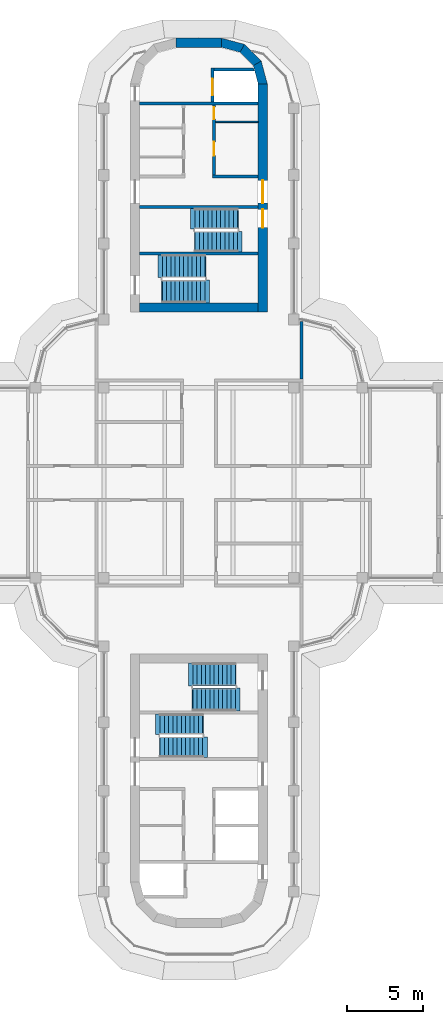
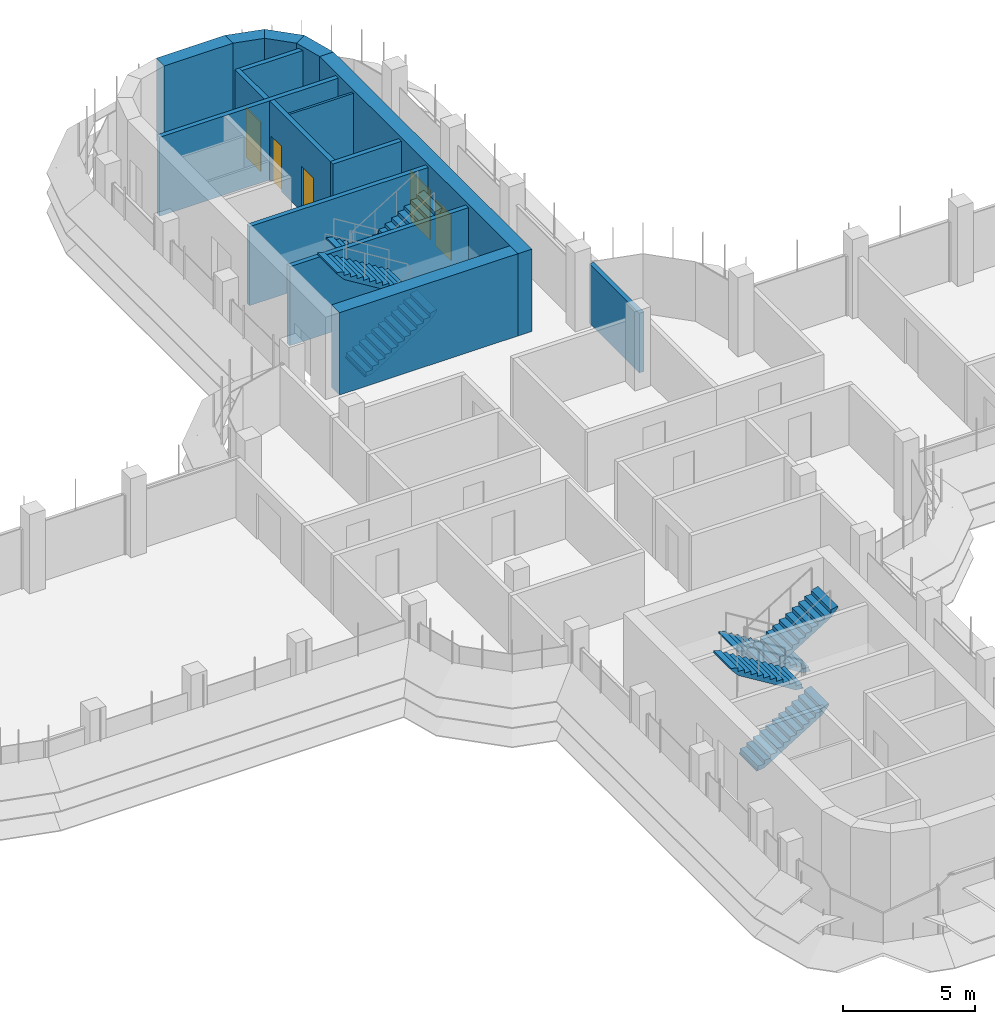
# One storey, part 15 of 19: 15 walls, 8 stair flights, 5 doors, 5 openings, 4 elements without a shape of their own.
"""IFC4 building model written with IfcOpenShell, lengths in metres."""

import ifcopenshell
import ifcopenshell.guid

model = None  # the IFC model being written
_history = None  # IfcOwnerHistory: only IFC2X3 demands one
_inside = {}  # id of a spatial element -> (the spatial element, [elements in it])
_under = {}  # id of a project, library or spatial element -> (it, [spatial elements below it])
_declared = {}  # id of a project -> (the project, [libraries it declares])
_typed = {}  # id of a type object -> (the type object, [elements of that type])
_made_of = {}  # id of a material, layer set ... -> (it, [elements and type objects made of it])


def new_model(schema):
    """Start an empty IFC model of exactly this schema.

    Asked for "IFC4X3", IfcOpenShell would pick the latest addendum, in which some entities
    have other attributes; the version numbers below select the first issue.
    IFC2X3 requires an IfcOwnerHistory on every rooted entity: one is made here for all.
    """
    global model, _history
    if schema == "IFC4X3":
        model = ifcopenshell.file(schema_version=(4, 3, 0, 0))
    else:
        model = ifcopenshell.file(schema=schema)
    _inside.clear()
    _under.clear()
    _declared.clear()
    _typed.clear()
    _made_of.clear()
    _history = None
    if model.schema == "IFC2X3":
        org = make("IfcOrganization", Name="unknown")
        user = make(
            "IfcPersonAndOrganization",
            ThePerson=make("IfcPerson", FamilyName="unknown"),
            TheOrganization=org,
        )
        app = make(
            "IfcApplication",
            ApplicationDeveloper=org,
            Version="unknown",
            ApplicationFullName="unknown",
            ApplicationIdentifier="unknown",
        )
        _history = make(
            "IfcOwnerHistory",
            OwningUser=user,
            OwningApplication=app,
            ChangeAction="ADDED",
            CreationDate=0,
        )
    return model


def make(cls, **values):
    """One entity of the class cls with the attributes given. An attribute that is None is left unset."""
    return model.create_entity(
        cls, **{name: value for name, value in values.items() if value is not None}
    )


def rooted(cls, **values):
    """An entity with a GlobalId (a new one), such as an element, a storey or a relation."""
    return make(cls, GlobalId=ifcopenshell.guid.new(), OwnerHistory=_history, **values)


def si_unit(unit_type, name, prefix=None):
    """IfcSIUnit, for example si_unit("LENGTHUNIT", "METRE", prefix="MILLI")."""
    return make("IfcSIUnit", UnitType=unit_type, Prefix=prefix, Name=name)


def assignment(units):
    """IfcUnitAssignment: the units of a project."""
    return None if units is None else make("IfcUnitAssignment", Units=units)


def point(xyz):
    """IfcCartesianPoint."""
    return None if xyz is None else make("IfcCartesianPoint", Coordinates=xyz)


def direction(xyz):
    """IfcDirection."""
    return None if xyz is None else make("IfcDirection", DirectionRatios=xyz)


def frame(location, z_axis=None, x_axis=None):
    """IfcAxis2Placement3D, a coordinate frame: its origin and axes. An axis left out is left unset."""
    return make(
        "IfcAxis2Placement3D",
        Location=point(location),
        Axis=direction(z_axis),
        RefDirection=direction(x_axis),
    )


def frame_2d(location, x_axis=None):
    """IfcAxis2Placement2D, a coordinate frame in the plane: its origin and x axis."""
    return make(
        "IfcAxis2Placement2D", Location=point(location), RefDirection=direction(x_axis)
    )


def origin():
    """The frame at (0, 0, 0) with its axes left unset."""
    return frame((0.0, 0.0, 0.0))


def place(relative_to, where):
    """IfcLocalPlacement: puts the frame where relative to a parent placement (None: the world)."""
    return make(
        "IfcLocalPlacement", PlacementRelTo=relative_to, RelativePlacement=where
    )


def context(
    kind, dimensions, precision=None, world=None, true_north=None, identifier=None
):
    """IfcGeometricRepresentationContext, for example the 3D "Model" context."""
    return make(
        "IfcGeometricRepresentationContext",
        ContextIdentifier=identifier,
        ContextType=kind,
        CoordinateSpaceDimension=dimensions,
        Precision=precision,
        WorldCoordinateSystem=world,
        TrueNorth=true_north,
    )


def subcontext(parent, identifier, kind, view, scale=None):
    """IfcGeometricRepresentationSubContext, for example "Body" below "Model"."""
    return make(
        "IfcGeometricRepresentationSubContext",
        ContextIdentifier=identifier,
        ContextType=kind,
        ParentContext=parent,
        TargetScale=scale,
        TargetView=view,
    )


def project(units=None, contexts=None):
    """IfcProject with its units and contexts."""
    return rooted(
        "IfcProject",
        Name="project",
        RepresentationContexts=contexts,
        UnitsInContext=assignment(units),
    )


def spatial(cls, under=None, at=None, **own):
    """A site, building, storey or space (cls), placed at a placement, below another one or the project."""
    s = rooted(cls, ObjectPlacement=at, **own)
    if under is not None:
        _under.setdefault(under.id(), (under, []))[1].append(s)
    return s


def polyline(points):
    """IfcPolyline through the points."""
    return make("IfcPolyline", Points=[point(p) for p in points])


def profile(cls, at=None, kind="AREA", **sizes):
    """A parametric profile (cls). Its sizes go by their IFC names, for example OverallWidth=200.0."""
    return make(cls, ProfileType=kind, Position=at, **sizes)


def rectangle(**sizes):
    """IfcRectangleProfileDef."""
    return profile("IfcRectangleProfileDef", **sizes)


def outline(outer, holes=None, kind="AREA"):
    """IfcArbitraryClosedProfileDef: a profile drawn as a closed curve; with holes, ...WithVoids."""
    if holes is None:
        return make("IfcArbitraryClosedProfileDef", ProfileType=kind, OuterCurve=outer)
    return make(
        "IfcArbitraryProfileDefWithVoids",
        ProfileType=kind,
        OuterCurve=outer,
        InnerCurves=holes,
    )


def extrude(swept, where, along, depth):
    """IfcExtrudedAreaSolid: the profile swept, set in the frame where, extruded along a direction by depth."""
    return make(
        "IfcExtrudedAreaSolid",
        SweptArea=swept,
        Position=where,
        ExtrudedDirection=direction(along),
        Depth=depth,
    )


def shape(context_of_items, identifier, shape_type, items):
    """IfcShapeRepresentation: the items that make up one representation, for example the "Body"."""
    return make(
        "IfcShapeRepresentation",
        ContextOfItems=context_of_items,
        RepresentationIdentifier=identifier,
        RepresentationType=shape_type,
        Items=items,
    )


def material(Name=None, Category=None):
    """IfcMaterial."""
    return make("IfcMaterial", Name=Name, Category=Category)


def layer(
    of_material, thickness, ventilated=None, Name=None, Category=None, Priority=None
):
    """IfcMaterialLayer: one layer of a wall or slab, of a material (None: an air gap)."""
    return make(
        "IfcMaterialLayer",
        Material=of_material,
        LayerThickness=thickness,
        IsVentilated=ventilated,
        Name=Name,
        Category=Category,
        Priority=Priority,
    )


def layer_set(layers, Name=None):
    """IfcMaterialLayerSet."""
    return make("IfcMaterialLayerSet", MaterialLayers=layers, LayerSetName=Name)


def made_of(thing, what):
    """Note that an element or type object is made of a material, layer set ...; save() writes the relation."""
    if what is not None:
        _made_of.setdefault(what.id(), (what, []))[1].append(thing)
    return thing


def type_object(cls, material=None, **own):
    """A type object (cls), such as IfcWallType, which elements share."""
    return made_of(rooted(cls, **own), material)


def element(
    cls,
    number,
    at=None,
    inside=None,
    cuts=None,
    type_object=None,
    material=None,
    context=None,
    identifier="Body",
    shape_type=None,
    held_by="IfcProductDefinitionShape",
    body=None,
    shapes=None,
    **own,
):
    """One element of the class cls, such as IfcWall. Its Tag is "e" and its number.

    at: its placement. inside: the storey or other place that contains it. cuts: it is an
    opening in that element (IfcRelVoidsElement). A single representation is given by context,
    identifier, shape_type and body (its items); several are given by shapes. held_by: the class
    of the entity that holds the representations. save() writes the other relations.
    """
    e = rooted(cls, Tag="e%d" % number, ObjectPlacement=at, **own)
    if body is not None:
        shapes = [shape(context, identifier, shape_type, body)]
    if shapes is not None:
        e.Representation = make(held_by, Representations=shapes)
    if inside is not None:
        _inside.setdefault(inside.id(), (inside, []))[1].append(e)
    if cuts is not None:
        rooted(
            "IfcRelVoidsElement", RelatingBuildingElement=cuts, RelatedOpeningElement=e
        )
    if type_object is not None:
        _typed.setdefault(type_object.id(), (type_object, []))[1].append(e)
    return made_of(e, material)


def fill(opening, filler):
    """IfcRelFillsElement: the door or window that sits in an opening."""
    return rooted(
        "IfcRelFillsElement",
        RelatingOpeningElement=opening,
        RelatedBuildingElement=filler,
    )


def aggregate(whole, parts):
    """IfcRelAggregates: a whole, such as a stair, and the parts it consists of."""
    return rooted("IfcRelAggregates", RelatingObject=whole, RelatedObjects=parts)


def save(model, path):
    """Write the relations noted so far, then the file.

    IfcRelAggregates (storeys below a building ...), IfcRelContainedInSpatialStructure (elements
    in a storey), IfcRelDefinesByType, IfcRelAssociatesMaterial and IfcRelDeclares: one each for
    every whole, place, type object, material and project.
    """
    for whole, parts in _under.values():
        aggregate(whole, parts)
    for where, things in _inside.values():
        rooted(
            "IfcRelContainedInSpatialStructure",
            RelatedElements=things,
            RelatingStructure=where,
        )
    for kind, things in _typed.values():
        rooted("IfcRelDefinesByType", RelatedObjects=things, RelatingType=kind)
    for what, things in _made_of.values():
        rooted("IfcRelAssociatesMaterial", RelatedObjects=things, RelatingMaterial=what)
    for by, libraries in _declared.values():
        rooted("IfcRelDeclares", RelatingContext=by, RelatedDefinitions=libraries)
    model.write(path)


model = new_model("IFC4")

# Units and contexts
model_context = context("Model", 3, precision=1e-05, world=origin(), true_north=direction((0.0, 1.0)))
body_context = subcontext(model_context, "Body", "Model", "MODEL_VIEW")
ifc_project = project(units=[si_unit("LENGTHUNIT", "METRE"), si_unit("AREAUNIT", "SQUARE_METRE"), si_unit("VOLUMEUNIT", "CUBIC_METRE"), si_unit("PLANEANGLEUNIT", "RADIAN"), si_unit("MASSUNIT", "GRAM", prefix="KILO")], contexts=[model_context])

# Site, building, storey
site_placement = place(None, origin())
site = spatial("IfcSite", under=ifc_project, at=site_placement, CompositionType="ELEMENT")
building_placement = place(site_placement, origin())
building = spatial("IfcBuilding", under=site, at=building_placement, Name="Zarbagh Exchange Tower", CompositionType="ELEMENT")
storey_placement = place(building_placement, frame((0.0, 0.0, 222.0)))
storey = spatial("IfcBuildingStorey", under=building, at=storey_placement, Name="L54", CompositionType="ELEMENT", Elevation=222.0)

# Walls
ifc_material_1 = material(Name="Dense blockwork", Category="masonry")
ifc_layer_1 = layer(ifc_material_1, 0.10009765625)
ifc_layer_set_1 = layer_set([ifc_layer_1], Name="Core partition 100 mm blockwork")
wall_type_1 = type_object("IfcWallType", Name="Core partition 100 mm blockwork", PredefinedType="PARTITIONING", material=ifc_layer_set_1)
wall_1_placement = place(storey_placement, frame((1.10009765625, 23.75, 0.0), z_axis=(0.0, 0.0, 1.0), x_axis=(1.0, 0.0, 0.0)))
element("IfcWall", 1, at=wall_1_placement, inside=storey, type_object=wall_type_1, Name="North core partition wall CUT-E-460", PredefinedType="PARTITIONING", context=body_context, shape_type="SweptSolid", body=[
    extrude(rectangle(XDim=2.7998046875, YDim=0.10009765625, at=frame_2d((1.39990234375, 0.0))), origin(), (0.0, 0.0, 1.0), 3.64990234375),
])
ifc_material_2 = material(Name="Fire-rated plasterboard partition")
ifc_layer_2 = layer(ifc_material_2, 0.199951171875)
ifc_layer_set_2 = layer_set([ifc_layer_2], Name="RATED PARTITION 200")
wall_type_2 = type_object("IfcWallType", Name="RATED PARTITION 200", PredefinedType="PARTITIONING", material=ifc_layer_set_2)
wall_2_placement = place(storey_placement, frame((6.75, 6.85009765625, 0.0), z_axis=(0.0, 0.0, 1.0), x_axis=(0.0, 1.0, 0.0)))
element("IfcWall", 2, at=wall_2_placement, inside=storey, type_object=wall_type_2, Name="Partition W-2417", PredefinedType="PARTITIONING", context=body_context, shape_type="SweptSolid", body=[
    extrude(rectangle(XDim=3.77978515625, YDim=0.199951171875, at=frame_2d((1.889892578125, 0.0))), origin(), (0.0, 0.0, 1.0), 2.75),
])
ifc_material_3 = material(Name="Concrete C50/60", Category="concrete")
ifc_layer_3 = layer(ifc_material_3, 0.60009765625)
ifc_layer_set_3 = layer_set([ifc_layer_3], Name="RC core corner wall 600 C50/60")
wall_type_3 = type_object("IfcWallType", Name="RC core corner wall 600 C50/60", PredefinedType="SHEAR", material=ifc_layer_set_3)
wall_3_placement = place(storey_placement, origin())
element("IfcWall", 3, at=wall_3_placement, inside=storey, type_object=wall_type_3, Name="CW8 core N corner E", PredefinedType="SHEAR", context=body_context, shape_type="SweptSolid", body=[
    extrude(outline(polyline([(4.5, 26.25), (4.09814453125, 27.75), (3.57861328125, 27.449951171875), (3.89990234375, 26.25), (4.5, 26.25)])), origin(), (0.0, 0.0, 1.0), 3.800048828125),
])
wall_4_placement = place(storey_placement, origin())
element("IfcWall", 4, at=wall_4_placement, inside=storey, type_object=wall_type_3, Name="CW8 core N corner E", PredefinedType="SHEAR", context=body_context, shape_type="SweptSolid", body=[
    extrude(outline(polyline([(4.09814453125, 27.75), (3.0, 28.84814453125), (2.699951171875, 28.32861328125), (3.57861328125, 27.449951171875), (4.09814453125, 27.75)])), origin(), (0.0, 0.0, 1.0), 3.800048828125),
])
wall_5_placement = place(storey_placement, origin())
element("IfcWall", 5, at=wall_5_placement, inside=storey, type_object=wall_type_3, Name="CW8 core N corner E", PredefinedType="SHEAR", context=body_context, shape_type="SweptSolid", body=[
    extrude(outline(polyline([(3.0, 28.84814453125), (1.5, 29.25), (1.5, 28.64990234375), (2.699951171875, 28.32861328125), (3.0, 28.84814453125)])), origin(), (0.0, 0.0, 1.0), 3.800048828125),
])

# Wall, openings, doors
ifc_layer_4 = layer(ifc_material_3, 0.60009765625)
ifc_layer_set_4 = layer_set([ifc_layer_4], Name="RC core wall 600 C50/60")
wall_type_4 = type_object("IfcWallType", Name="RC core wall 600 C50/60", PredefinedType="SHEAR", material=ifc_layer_set_4)
wall_6_placement = place(storey_placement, frame((4.199951171875, 11.25, 0.0), z_axis=(0.0, 0.0, 1.0), x_axis=(0.0, 1.0, 0.0)))
wall_6 = element("IfcWall", 6, at=wall_6_placement, inside=storey, type_object=wall_type_4, Name="CW7 core N E", PredefinedType="SHEAR", context=body_context, shape_type="SweptSolid", body=[
    extrude(rectangle(XDim=15.0, YDim=0.60009765625, at=frame_2d((7.5, 0.0))), origin(), (0.0, 0.0, 1.0), 3.800048828125),
])
opening_1_placement = place(wall_6_placement, frame((7.14990234375, 0.0, 0.0)))
opening_1 = element("IfcOpeningElement", 7, at=opening_1_placement, cuts=wall_6, Name="Opening CD1-1500", PredefinedType="OPENING", context=body_context, shape_type="SweptSolid", body=[
    extrude(rectangle(XDim=1.5, YDim=2.300048828125, at=frame_2d((0.75, 1.14990234375))), frame((0.0, 0.31005859375, 0.0), z_axis=(0.0, -1.0, 0.0), x_axis=(1.0, 0.0, 0.0)), (0.0, 0.0, 1.0), 0.6201171875),
])
opening_2_placement = place(wall_6_placement, frame((5.550048828125, 0.0, 0.0)))
opening_2 = element("IfcOpeningElement", 8, at=opening_2_placement, cuts=wall_6, Name="Opening SD1-1200", PredefinedType="OPENING", context=body_context, shape_type="SweptSolid", body=[
    extrude(rectangle(XDim=1.199951171875, YDim=2.10009765625, at=frame_2d((0.60009765625, 1.050048828125))), frame((0.0, 0.31005859375, 0.0), z_axis=(0.0, -1.0, 0.0), x_axis=(1.0, 0.0, 0.0)), (0.0, 0.0, 1.0), 0.6201171875),
])
ifc_material_4 = material(Name="Steel", Category="steel")
door_type_1 = type_object("IfcDoorType", Name="Exit stair door 1200 x 2100", OperationType="NOTDEFINED", PredefinedType="DOOR", material=ifc_material_4)
door_1_placement = place(opening_2_placement, origin())
door_1 = element("IfcDoor", 9, at=door_1_placement, inside=storey, type_object=door_type_1, Name="North core stair door ST1", OperationType="SINGLE_SWING_LEFT", OverallHeight=2.10009765625, OverallWidth=1.199951171875, PredefinedType="DOOR", context=body_context, shape_type="SweptSolid", body=[
    extrude(rectangle(XDim=1.199951171875, YDim=2.10009765625, at=frame_2d((0.60009765625, 1.050048828125))), frame((0.0, 0.02490234375, 0.0), z_axis=(0.0, -1.0, 0.0), x_axis=(1.0, 0.0, 0.0)), (0.0, 0.0, 1.0), 0.050048828125),
])
fill(opening_2, door_1)
door_type_2 = type_object("IfcDoorType", Name="Lift lobby double door 1500 x 2300", OperationType="NOTDEFINED", PredefinedType="DOOR", material=ifc_material_4)
door_2_placement = place(opening_1_placement, origin())
door_2 = element("IfcDoor", 10, at=door_2_placement, inside=storey, type_object=door_type_2, Name="North core lift lobby door LOBBY-E", OperationType="DOUBLE_DOOR_SINGLE_SWING", OverallHeight=2.300048828125, OverallWidth=1.5, PredefinedType="DOOR", context=body_context, shape_type="SweptSolid", body=[
    extrude(rectangle(XDim=1.5, YDim=2.300048828125, at=frame_2d((0.75, 1.14990234375))), frame((0.0, 0.02490234375, 0.0), z_axis=(0.0, -1.0, 0.0), x_axis=(1.0, 0.0, 0.0)), (0.0, 0.0, 1.0), 0.050048828125),
])
fill(opening_1, door_2)

# Walls
wall_7_placement = place(storey_placement, frame((-3.89990234375, 11.550048828125, 0.0), z_axis=(0.0, 0.0, 1.0), x_axis=(1.0, 0.0, 0.0)))
element("IfcWall", 11, at=wall_7_placement, inside=storey, type_object=wall_type_4, Name="CW7 core N inner end", PredefinedType="SHEAR", context=body_context, shape_type="SweptSolid", body=[
    extrude(rectangle(XDim=7.7998046875, YDim=0.60009765625, at=frame_2d((3.89990234375, 0.0))), origin(), (0.0, 0.0, 1.0), 3.800048828125),
])
wall_8_placement = place(storey_placement, frame((-1.5, 28.949951171875, 0.0), z_axis=(0.0, 0.0, 1.0), x_axis=(1.0, 0.0, 0.0)))
element("IfcWall", 12, at=wall_8_placement, inside=storey, type_object=wall_type_4, Name="CW7 core N outer end", PredefinedType="SHEAR", context=body_context, shape_type="SweptSolid", body=[
    extrude(rectangle(XDim=3.0, YDim=0.60009765625, at=frame_2d((1.5, 0.0))), origin(), (0.0, 0.0, 1.0), 3.800048828125),
])
ifc_layer_5 = layer(ifc_material_1, 0.199951171875)
ifc_layer_set_5 = layer_set([ifc_layer_5], Name="Shaft wall 200 mm blockwork")
wall_type_5 = type_object("IfcWallType", Name="Shaft wall 200 mm blockwork", PredefinedType="PARTITIONING", material=ifc_layer_set_5)
wall_9_placement = place(storey_placement, frame((0.89990234375, 20.14990234375, 0.0), z_axis=(0.0, 0.0, 1.0), x_axis=(1.0, 0.0, 0.0)))
element("IfcWall", 13, at=wall_9_placement, inside=storey, type_object=wall_type_5, Name="North core shaft wall AB-E", PredefinedType="PARTITIONING", context=body_context, shape_type="SweptSolid", body=[
    extrude(rectangle(XDim=3.0, YDim=0.199951171875, at=frame_2d((1.5, 0.0))), origin(), (0.0, 0.0, 1.0), 3.64990234375),
])

# Wall, openings, doors
wall_10_placement = place(storey_placement, frame((1.0, 24.85009765625, 0.0), z_axis=(0.0, 0.0, 1.0), x_axis=(0.0, -1.0, 0.0)))
wall_10 = element("IfcWall", 14, at=wall_10_placement, inside=storey, type_object=wall_type_5, Name="North core shaft wall LW-E", PredefinedType="PARTITIONING", context=body_context, shape_type="SweptSolid", body=[
    extrude(rectangle(XDim=4.60009765625, YDim=0.199951171875, at=frame_2d((2.300048828125, 0.0))), origin(), (0.0, 0.0, 1.0), 3.64990234375),
])
opening_3_placement = place(wall_10_placement, frame((0.125, 0.0, 0.0)))
opening_3 = element("IfcOpeningElement", 15, at=opening_3_placement, cuts=wall_10, Name="Opening CD3-800", PredefinedType="OPENING", context=body_context, shape_type="SweptSolid", body=[
    extrude(rectangle(XDim=0.800048828125, YDim=2.10009765625, at=frame_2d((0.39990234375, 1.050048828125))), frame((0.0, 0.10986328125, 0.0), z_axis=(0.0, -1.0, 0.0), x_axis=(1.0, 0.0, 0.0)), (0.0, 0.0, 1.0), 0.219970703125),
])
opening_4_placement = place(wall_10_placement, frame((2.425048828125, 0.0, 0.0)))
opening_4 = element("IfcOpeningElement", 16, at=opening_4_placement, cuts=wall_10, Name="Opening CD3-900", PredefinedType="OPENING", context=body_context, shape_type="SweptSolid", body=[
    extrude(rectangle(XDim=0.89990234375, YDim=2.10009765625, at=frame_2d((0.449951171875, 1.050048828125))), frame((0.0, 0.10986328125, 0.0), z_axis=(0.0, -1.0, 0.0), x_axis=(1.0, 0.0, 0.0)), (0.0, 0.0, 1.0), 0.219970703125),
])
door_type_3 = type_object("IfcDoorType", Name="Core room door 800 x 2100", OperationType="NOTDEFINED", PredefinedType="DOOR", material=ifc_material_4)
door_3_placement = place(opening_3_placement, origin())
door_3 = element("IfcDoor", 17, at=door_3_placement, inside=storey, type_object=door_type_3, Name="North core Store door RD-E-0", OperationType="SINGLE_SWING_LEFT", OverallHeight=2.10009765625, OverallWidth=0.800048828125, PredefinedType="DOOR", context=body_context, shape_type="SweptSolid", body=[
    extrude(rectangle(XDim=0.800048828125, YDim=2.10009765625, at=frame_2d((0.39990234375, 1.050048828125))), frame((0.0, 0.02490234375, 0.0), z_axis=(0.0, -1.0, 0.0), x_axis=(1.0, 0.0, 0.0)), (0.0, 0.0, 1.0), 0.050048828125),
])
fill(opening_3, door_3)
door_type_4 = type_object("IfcDoorType", Name="Core room door 900 x 2100", OperationType="NOTDEFINED", PredefinedType="DOOR", material=ifc_material_4)
door_4_placement = place(opening_4_placement, origin())
door_4 = element("IfcDoor", 18, at=door_4_placement, inside=storey, type_object=door_type_4, Name="North core Staff WC door RD-E-1", OperationType="SINGLE_SWING_RIGHT", OverallHeight=2.10009765625, OverallWidth=0.89990234375, PredefinedType="DOOR", context=body_context, shape_type="SweptSolid", body=[
    extrude(rectangle(XDim=0.89990234375, YDim=2.10009765625, at=frame_2d((0.449951171875, 1.050048828125))), frame((0.0, 0.02490234375, 0.0), z_axis=(0.0, -1.0, 0.0), x_axis=(1.0, 0.0, 0.0)), (0.0, 0.0, 1.0), 0.050048828125),
])
fill(opening_4, door_4)

# Wall
ifc_material_5 = material(Name="Concrete C40/50", Category="concrete")
ifc_layer_6 = layer(ifc_material_5, 0.199951171875)
ifc_layer_set_6 = layer_set([ifc_layer_6], Name="Stair enclosure wall 200 mm RC C40/50")
wall_type_6 = type_object("IfcWallType", Name="Stair enclosure wall 200 mm RC C40/50", PredefinedType="SHEAR", material=ifc_layer_set_6)
wall_11_placement = place(storey_placement, frame((-3.89990234375, 24.949951171875, 0.0), z_axis=(0.0, 0.0, 1.0), x_axis=(1.0, 0.0, 0.0)))
element("IfcWall", 19, at=wall_11_placement, inside=storey, type_object=wall_type_6, Name="North core lift shaft wall FFA", PredefinedType="SHEAR", context=body_context, shape_type="SweptSolid", body=[
    extrude(rectangle(XDim=7.7998046875, YDim=0.199951171875, at=frame_2d((3.89990234375, 0.0))), origin(), (0.0, 0.0, 1.0), 3.64990234375),
])

# Wall, opening, door
wall_12_placement = place(storey_placement, frame((0.89990234375, 27.300048828125, 0.0), z_axis=(0.0, 0.0, 1.0), x_axis=(0.0, -1.0, 0.0)))
wall_12 = element("IfcWall", 20, at=wall_12_placement, inside=storey, type_object=wall_type_6, Name="North core lift shaft wall FFL", PredefinedType="SHEAR", context=body_context, shape_type="SweptSolid", body=[
    extrude(rectangle(XDim=2.25, YDim=0.199951171875, at=frame_2d((1.125, 0.0))), origin(), (0.0, 0.0, 1.0), 3.64990234375),
])
opening_5_placement = place(wall_12_placement, frame((0.699951171875, 0.0, 0.0)))
opening_5 = element("IfcOpeningElement", 21, at=opening_5_placement, cuts=wall_12, Name="Opening LD-1100", PredefinedType="OPENING", context=body_context, shape_type="SweptSolid", body=[
    extrude(rectangle(XDim=1.10009765625, YDim=2.300048828125, at=frame_2d((0.550048828125, 1.14990234375))), frame((0.0, 0.10986328125, 0.0), z_axis=(0.0, -1.0, 0.0), x_axis=(1.0, 0.0, 0.0)), (0.0, 0.0, 1.0), 0.219970703125),
])
ifc_material_6 = material(Name="Stainless steel", Category="steel")
door_type_5 = type_object("IfcDoorType", Name="Lift landing door 1100 x 2300", OperationType="NOTDEFINED", PredefinedType="DOOR", material=ifc_material_6)
door_5_placement = place(opening_5_placement, origin())
door_5 = element("IfcDoor", 22, at=door_5_placement, inside=storey, type_object=door_type_5, Name="North core lift landing door LD-F", OperationType="DOUBLE_DOOR_SLIDING", OverallHeight=2.300048828125, OverallWidth=1.10009765625, PredefinedType="DOOR", context=body_context, shape_type="SweptSolid", body=[
    extrude(rectangle(XDim=1.10009765625, YDim=2.300048828125, at=frame_2d((0.550048828125, 1.14990234375))), frame((0.0, 0.02490234375, 0.0), z_axis=(0.0, -1.0, 0.0), x_axis=(1.0, 0.0, 0.0)), (0.0, 0.0, 1.0), 0.050048828125),
])
fill(opening_5, door_5)

# Walls
wall_13_placement = place(storey_placement, origin())
element("IfcWall", 23, at=wall_13_placement, inside=storey, type_object=wall_type_6, Name="North core lift shaft wall FFX", PredefinedType="SHEAR", context=body_context, shape_type="SweptSolid", body=[
    extrude(outline(polyline([(1.0, 27.10009765625), (3.651123046875, 27.10009765625), (3.597412109375, 27.300048828125), (1.0, 27.300048828125), (1.0, 27.10009765625)])), origin(), (0.0, 0.0, 1.0), 3.64990234375),
])
for number, where, z_axis, x_axis, name in (
    (24, (-3.89990234375, 18.14990234375, 0.0), (0.0, 0.0, 1.0), (1.0, 0.0, 0.0), "North core stair wall BS"),
    (25, (-3.89990234375, 15.10009765625, 0.0), (0.0, 0.0, 1.0), (1.0, 0.0, 0.0), "North core stair wall ST12"),
):
    element("IfcWall", number, at=place(storey_placement, frame(where, z_axis=z_axis, x_axis=x_axis)), inside=storey, type_object=wall_type_6, Name=name, PredefinedType="SHEAR", context=body_context, shape_type="SweptSolid", body=[
        extrude(rectangle(XDim=7.7998046875, YDim=0.199951171875, at=frame_2d((3.89990234375, 0.0))), origin(), (0.0, 0.0, 1.0), 3.64990234375),
    ])

# Stair, stair flights
stair_type = type_object("IfcStairType", Name="Exit stair two-flight half-turn", PredefinedType="HALF_TURN_STAIR", material=ifc_material_5)
stair_1_placement = place(storey_placement, origin())
stair_1 = element("IfcStair", 26, at=stair_1_placement, inside=storey, type_object=stair_type, Name="exit stair ST1", PredefinedType="HALF_TURN_STAIR")
stair_flight_type_1 = type_object("IfcStairFlightType", Name="Stair flight 1350 mm", PredefinedType="STRAIGHT", material=ifc_material_5)
stair_flight_1_placement = place(storey_placement, frame((2.550048828125, 17.375, 0.0), z_axis=(0.0, 0.0, 1.0), x_axis=(-1.0, 0.0, 0.0)))
stair_flight_1 = element("IfcStairFlight", 27, at=stair_flight_1_placement, type_object=stair_flight_type_1, Name="ST1 flight 1", NumberOfRisers=11, NumberOfTreads=10, PredefinedType="STRAIGHT", RiserHeight=0.172727273, TreadLength=0.28, context=body_context, shape_type="SweptSolid", body=[
    extrude(outline(polyline([(-0.050048828125, -0.050048828125), (-0.050048828125, 0.0), (0.0, 0.0), (0.0, 0.172607421875), (0.280029296875, 0.172607421875), (0.280029296875, 0.345458984375), (0.56005859375, 0.345458984375), (0.56005859375, 0.51806640625), (0.840087890625, 0.51806640625), (0.840087890625, 0.69091796875), (1.1201171875, 0.69091796875), (1.1201171875, 0.863525390625), (1.39990234375, 0.863525390625), (1.39990234375, 1.036376953125), (1.679931640625, 1.036376953125), (1.679931640625, 1.208984375), (1.9599609375, 1.208984375), (1.9599609375, 1.3818359375), (2.239990234375, 1.3818359375), (2.239990234375, 1.554443359375), (2.52001953125, 1.554443359375), (2.52001953125, 1.727294921875), (2.800048828125, 1.727294921875), (2.800048828125, 1.89990234375), (3.10009765625, 1.97998046875), (3.10009765625, 1.89990234375), (2.800048828125, 1.551025390625), (0.285400390625, 0.0), (-0.050048828125, -0.050048828125)])), frame((0.0, 0.675048828125, 0.0), z_axis=(0.0, -1.0, 0.0), x_axis=(1.0, 0.0, 0.0)), (0.0, 0.0, 1.0), 1.35009765625),
])
stair_flight_2_placement = place(storey_placement, frame((-0.25, 15.875, 1.89990234375), z_axis=(0.0, 0.0, 1.0), x_axis=(1.0, 0.0, 0.0)))
stair_flight_2 = element("IfcStairFlight", 28, at=stair_flight_2_placement, type_object=stair_flight_type_1, Name="ST1 flight 2", NumberOfRisers=11, NumberOfTreads=10, PredefinedType="STRAIGHT", RiserHeight=0.172727273, TreadLength=0.28, context=body_context, shape_type="SweptSolid", body=[
    extrude(outline(polyline([(-0.050048828125, -0.050048828125), (-0.050048828125, 0.0), (0.0, 0.0), (0.0, 0.172607421875), (0.280029296875, 0.172607421875), (0.280029296875, 0.345458984375), (0.56005859375, 0.345458984375), (0.56005859375, 0.51806640625), (0.840087890625, 0.51806640625), (0.840087890625, 0.69091796875), (1.1201171875, 0.69091796875), (1.1201171875, 0.863525390625), (1.39990234375, 0.863525390625), (1.39990234375, 1.036376953125), (1.679931640625, 1.036376953125), (1.679931640625, 1.208984375), (1.9599609375, 1.208984375), (1.9599609375, 1.3818359375), (2.239990234375, 1.3818359375), (2.239990234375, 1.554443359375), (2.52001953125, 1.554443359375), (2.52001953125, 1.727294921875), (2.800048828125, 1.727294921875), (2.800048828125, 1.89990234375), (3.10009765625, 1.97998046875), (3.10009765625, 1.89990234375), (2.800048828125, 1.551025390625), (0.285400390625, 0.0), (-0.050048828125, -0.050048828125)])), frame((0.0, 0.675048828125, 0.0), z_axis=(0.0, -1.0, 0.0), x_axis=(1.0, 0.0, 0.0)), (0.0, 0.0, 1.0), 1.35009765625),
])
aggregate(stair_1, [stair_flight_1, stair_flight_2])

stair_2_placement = place(storey_placement, origin())
stair_2 = element("IfcStair", 29, at=stair_2_placement, inside=storey, type_object=stair_type, Name="exit stair ST3", PredefinedType="HALF_TURN_STAIR")
stair_flight_3_placement = place(storey_placement, frame((-2.550048828125, -17.375, 0.0), z_axis=(0.0, 0.0, 1.0), x_axis=(1.0, 0.0, 0.0)))
stair_flight_3 = element("IfcStairFlight", 30, at=stair_flight_3_placement, type_object=stair_flight_type_1, Name="ST3 flight 1", NumberOfRisers=11, NumberOfTreads=10, PredefinedType="STRAIGHT", RiserHeight=0.172727273, TreadLength=0.28, context=body_context, shape_type="SweptSolid", body=[
    extrude(outline(polyline([(-0.050048828125, -0.050048828125), (-0.050048828125, 0.0), (0.0, 0.0), (0.0, 0.172607421875), (0.280029296875, 0.172607421875), (0.280029296875, 0.345458984375), (0.56005859375, 0.345458984375), (0.56005859375, 0.51806640625), (0.840087890625, 0.51806640625), (0.840087890625, 0.69091796875), (1.1201171875, 0.69091796875), (1.1201171875, 0.863525390625), (1.39990234375, 0.863525390625), (1.39990234375, 1.036376953125), (1.679931640625, 1.036376953125), (1.679931640625, 1.208984375), (1.9599609375, 1.208984375), (1.9599609375, 1.3818359375), (2.239990234375, 1.3818359375), (2.239990234375, 1.554443359375), (2.52001953125, 1.554443359375), (2.52001953125, 1.727294921875), (2.800048828125, 1.727294921875), (2.800048828125, 1.89990234375), (3.10009765625, 1.97998046875), (3.10009765625, 1.89990234375), (2.800048828125, 1.551025390625), (0.285400390625, 0.0), (-0.050048828125, -0.050048828125)])), frame((0.0, 0.675048828125, 0.0), z_axis=(0.0, -1.0, 0.0), x_axis=(1.0, 0.0, 0.0)), (0.0, 0.0, 1.0), 1.35009765625),
])
stair_flight_4_placement = place(storey_placement, frame((0.25, -15.875, 1.89990234375), z_axis=(0.0, 0.0, 1.0), x_axis=(-1.0, 0.0, 0.0)))
stair_flight_4 = element("IfcStairFlight", 31, at=stair_flight_4_placement, type_object=stair_flight_type_1, Name="ST3 flight 2", NumberOfRisers=11, NumberOfTreads=10, PredefinedType="STRAIGHT", RiserHeight=0.172727273, TreadLength=0.28, context=body_context, shape_type="SweptSolid", body=[
    extrude(outline(polyline([(-0.050048828125, -0.050048828125), (-0.050048828125, 0.0), (0.0, 0.0), (0.0, 0.172607421875), (0.280029296875, 0.172607421875), (0.280029296875, 0.345458984375), (0.56005859375, 0.345458984375), (0.56005859375, 0.51806640625), (0.840087890625, 0.51806640625), (0.840087890625, 0.69091796875), (1.1201171875, 0.69091796875), (1.1201171875, 0.863525390625), (1.39990234375, 0.863525390625), (1.39990234375, 1.036376953125), (1.679931640625, 1.036376953125), (1.679931640625, 1.208984375), (1.9599609375, 1.208984375), (1.9599609375, 1.3818359375), (2.239990234375, 1.3818359375), (2.239990234375, 1.554443359375), (2.52001953125, 1.554443359375), (2.52001953125, 1.727294921875), (2.800048828125, 1.727294921875), (2.800048828125, 1.89990234375), (3.10009765625, 1.97998046875), (3.10009765625, 1.89990234375), (2.800048828125, 1.551025390625), (0.285400390625, 0.0), (-0.050048828125, -0.050048828125)])), frame((0.0, 0.675048828125, 0.0), z_axis=(0.0, -1.0, 0.0), x_axis=(1.0, 0.0, 0.0)), (0.0, 0.0, 1.0), 1.35009765625),
])
aggregate(stair_2, [stair_flight_3, stair_flight_4])

stair_3_placement = place(storey_placement, origin())
stair_3 = element("IfcStair", 32, at=stair_3_placement, inside=storey, type_object=stair_type, Name="exit stair ST2", PredefinedType="HALF_TURN_STAIR")
stair_flight_type_2 = type_object("IfcStairFlightType", Name="Stair flight 1500 mm", PredefinedType="STRAIGHT", material=ifc_material_5)
stair_flight_5_placement = place(storey_placement, frame((-2.39990234375, 12.60009765625, 0.0), z_axis=(0.0, 0.0, 1.0), x_axis=(1.0, 0.0, 0.0)))
stair_flight_5 = element("IfcStairFlight", 33, at=stair_flight_5_placement, type_object=stair_flight_type_2, Name="ST2 flight 1", NumberOfRisers=11, NumberOfTreads=10, PredefinedType="STRAIGHT", RiserHeight=0.172727273, TreadLength=0.28, context=body_context, shape_type="SweptSolid", body=[
    extrude(outline(polyline([(-0.050048828125, -0.050048828125), (-0.050048828125, 0.0), (0.0, 0.0), (0.0, 0.172607421875), (0.280029296875, 0.172607421875), (0.280029296875, 0.345458984375), (0.56005859375, 0.345458984375), (0.56005859375, 0.51806640625), (0.840087890625, 0.51806640625), (0.840087890625, 0.69091796875), (1.1201171875, 0.69091796875), (1.1201171875, 0.863525390625), (1.39990234375, 0.863525390625), (1.39990234375, 1.036376953125), (1.679931640625, 1.036376953125), (1.679931640625, 1.208984375), (1.9599609375, 1.208984375), (1.9599609375, 1.3818359375), (2.239990234375, 1.3818359375), (2.239990234375, 1.554443359375), (2.52001953125, 1.554443359375), (2.52001953125, 1.727294921875), (2.800048828125, 1.727294921875), (2.800048828125, 1.89990234375), (3.10009765625, 1.97998046875), (3.10009765625, 1.89990234375), (2.800048828125, 1.551025390625), (0.285400390625, 0.0), (-0.050048828125, -0.050048828125)])), frame((0.0, 0.75, 0.0), z_axis=(0.0, -1.0, 0.0), x_axis=(1.0, 0.0, 0.0)), (0.0, 0.0, 1.0), 1.5),
])
stair_flight_6_placement = place(storey_placement, frame((0.39990234375, 14.25, 1.89990234375), z_axis=(0.0, 0.0, 1.0), x_axis=(-1.0, 0.0, 0.0)))
stair_flight_6 = element("IfcStairFlight", 34, at=stair_flight_6_placement, type_object=stair_flight_type_2, Name="ST2 flight 2", NumberOfRisers=11, NumberOfTreads=10, PredefinedType="STRAIGHT", RiserHeight=0.172727273, TreadLength=0.28, context=body_context, shape_type="SweptSolid", body=[
    extrude(outline(polyline([(-0.050048828125, -0.050048828125), (-0.050048828125, 0.0), (0.0, 0.0), (0.0, 0.172607421875), (0.280029296875, 0.172607421875), (0.280029296875, 0.345458984375), (0.56005859375, 0.345458984375), (0.56005859375, 0.51806640625), (0.840087890625, 0.51806640625), (0.840087890625, 0.69091796875), (1.1201171875, 0.69091796875), (1.1201171875, 0.863525390625), (1.39990234375, 0.863525390625), (1.39990234375, 1.036376953125), (1.679931640625, 1.036376953125), (1.679931640625, 1.208984375), (1.9599609375, 1.208984375), (1.9599609375, 1.3818359375), (2.239990234375, 1.3818359375), (2.239990234375, 1.554443359375), (2.52001953125, 1.554443359375), (2.52001953125, 1.727294921875), (2.800048828125, 1.727294921875), (2.800048828125, 1.89990234375), (3.10009765625, 1.97998046875), (3.10009765625, 1.89990234375), (2.800048828125, 1.551025390625), (0.285400390625, 0.0), (-0.050048828125, -0.050048828125)])), frame((0.0, 0.75, 0.0), z_axis=(0.0, -1.0, 0.0), x_axis=(1.0, 0.0, 0.0)), (0.0, 0.0, 1.0), 1.5),
])
aggregate(stair_3, [stair_flight_5, stair_flight_6])

stair_4_placement = place(storey_placement, origin())
stair_4 = element("IfcStair", 35, at=stair_4_placement, inside=storey, type_object=stair_type, Name="exit stair ST4", PredefinedType="HALF_TURN_STAIR")
stair_flight_7_placement = place(storey_placement, frame((2.39990234375, -12.60009765625, 0.0), z_axis=(0.0, 0.0, 1.0), x_axis=(-1.0, 0.0, 0.0)))
stair_flight_7 = element("IfcStairFlight", 36, at=stair_flight_7_placement, type_object=stair_flight_type_2, Name="ST4 flight 1", NumberOfRisers=11, NumberOfTreads=10, PredefinedType="STRAIGHT", RiserHeight=0.172727273, TreadLength=0.28, context=body_context, shape_type="SweptSolid", body=[
    extrude(outline(polyline([(-0.050048828125, -0.050048828125), (-0.050048828125, 0.0), (0.0, 0.0), (0.0, 0.172607421875), (0.280029296875, 0.172607421875), (0.280029296875, 0.345458984375), (0.56005859375, 0.345458984375), (0.56005859375, 0.51806640625), (0.840087890625, 0.51806640625), (0.840087890625, 0.69091796875), (1.1201171875, 0.69091796875), (1.1201171875, 0.863525390625), (1.39990234375, 0.863525390625), (1.39990234375, 1.036376953125), (1.679931640625, 1.036376953125), (1.679931640625, 1.208984375), (1.9599609375, 1.208984375), (1.9599609375, 1.3818359375), (2.239990234375, 1.3818359375), (2.239990234375, 1.554443359375), (2.52001953125, 1.554443359375), (2.52001953125, 1.727294921875), (2.800048828125, 1.727294921875), (2.800048828125, 1.89990234375), (3.10009765625, 1.97998046875), (3.10009765625, 1.89990234375), (2.800048828125, 1.551025390625), (0.285400390625, 0.0), (-0.050048828125, -0.050048828125)])), frame((0.0, 0.75, 0.0), z_axis=(0.0, -1.0, 0.0), x_axis=(1.0, 0.0, 0.0)), (0.0, 0.0, 1.0), 1.5),
])
stair_flight_8_placement = place(storey_placement, frame((-0.39990234375, -14.25, 1.89990234375), z_axis=(0.0, 0.0, 1.0), x_axis=(1.0, 0.0, 0.0)))
stair_flight_8 = element("IfcStairFlight", 37, at=stair_flight_8_placement, type_object=stair_flight_type_2, Name="ST4 flight 2", NumberOfRisers=11, NumberOfTreads=10, PredefinedType="STRAIGHT", RiserHeight=0.172727273, TreadLength=0.28, context=body_context, shape_type="SweptSolid", body=[
    extrude(outline(polyline([(-0.050048828125, -0.050048828125), (-0.050048828125, 0.0), (0.0, 0.0), (0.0, 0.172607421875), (0.280029296875, 0.172607421875), (0.280029296875, 0.345458984375), (0.56005859375, 0.345458984375), (0.56005859375, 0.51806640625), (0.840087890625, 0.51806640625), (0.840087890625, 0.69091796875), (1.1201171875, 0.69091796875), (1.1201171875, 0.863525390625), (1.39990234375, 0.863525390625), (1.39990234375, 1.036376953125), (1.679931640625, 1.036376953125), (1.679931640625, 1.208984375), (1.9599609375, 1.208984375), (1.9599609375, 1.3818359375), (2.239990234375, 1.3818359375), (2.239990234375, 1.554443359375), (2.52001953125, 1.554443359375), (2.52001953125, 1.727294921875), (2.800048828125, 1.727294921875), (2.800048828125, 1.89990234375), (3.10009765625, 1.97998046875), (3.10009765625, 1.89990234375), (2.800048828125, 1.551025390625), (0.285400390625, 0.0), (-0.050048828125, -0.050048828125)])), frame((0.0, 0.75, 0.0), z_axis=(0.0, -1.0, 0.0), x_axis=(1.0, 0.0, 0.0)), (0.0, 0.0, 1.0), 1.5),
])
aggregate(stair_4, [stair_flight_7, stair_flight_8])

save(model, "model.ifc")
